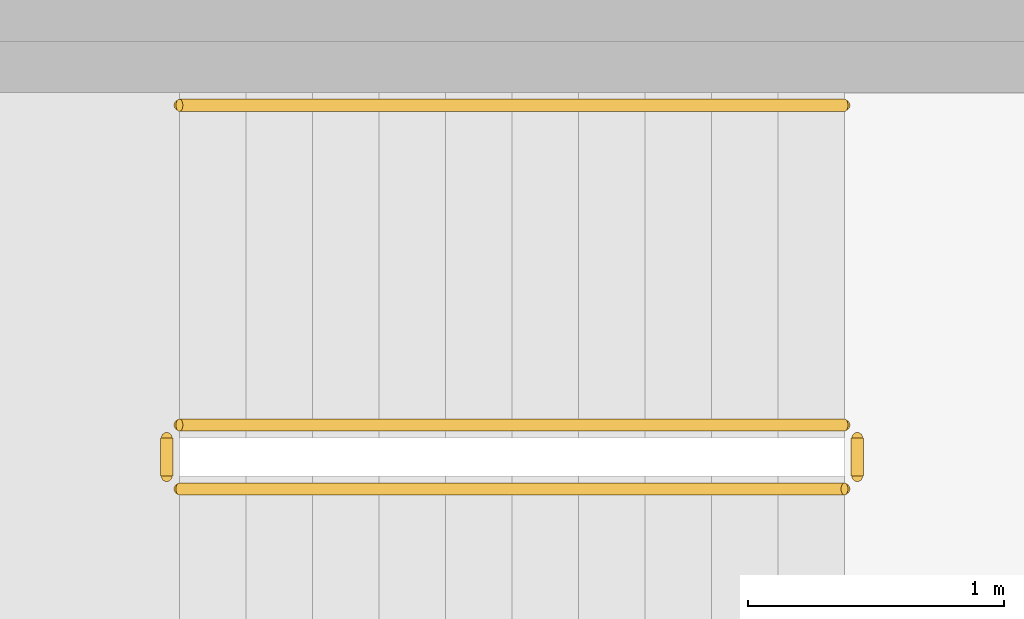
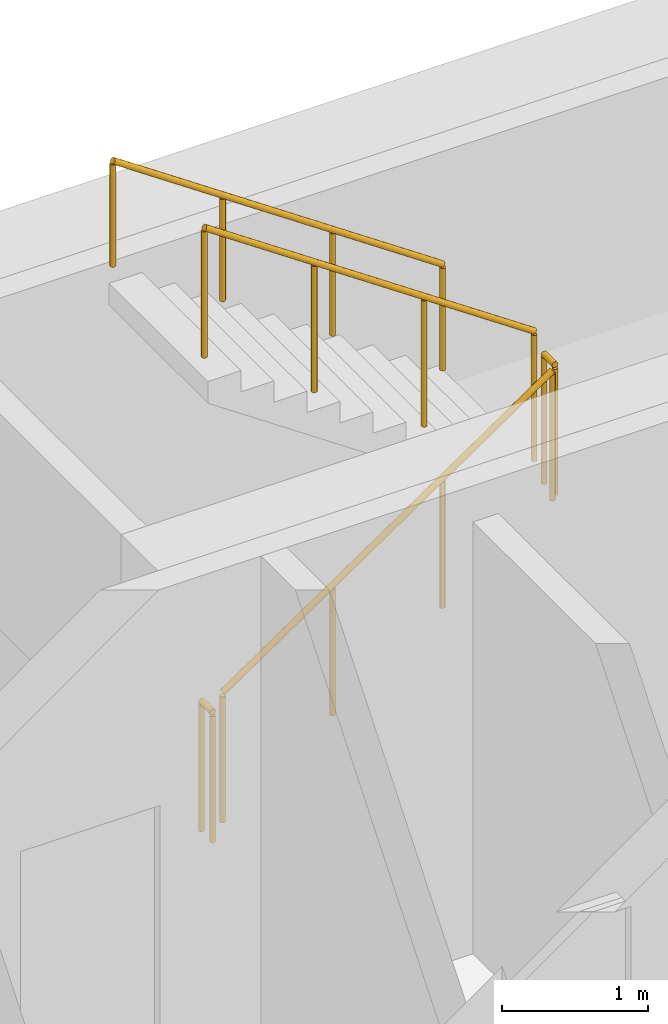
# One storey, part 9 of 9: 5 railings.
"""IFC4 building model written with IfcOpenShell, lengths in metres."""

from ifc_helpers import new_model, si_unit, direction, frame, origin, origin_2d, place, context, subcontext, project, spatial, circle, extrude, material, type_object, element, save


model = new_model("IFC4")

# Units and contexts
model_context = context("Model", 3, precision=1e-05, world=origin(), true_north=direction((0.0, 1.0)))
body_context = subcontext(model_context, "Body", "Model", "MODEL_VIEW")
ifc_project = project(units=[si_unit("LENGTHUNIT", "METRE"), si_unit("AREAUNIT", "SQUARE_METRE"), si_unit("VOLUMEUNIT", "CUBIC_METRE"), si_unit("PLANEANGLEUNIT", "RADIAN"), si_unit("MASSUNIT", "GRAM", prefix="KILO")], contexts=[model_context])

# Site, building, storey
site_placement = place(None, origin())
site = spatial("IfcSite", under=ifc_project, at=site_placement, CompositionType="ELEMENT")
building_placement = place(site_placement, origin())
building = spatial("IfcBuilding", under=site, at=building_placement, Name="White Candle Pilgrim Tower", CompositionType="ELEMENT")
storey_placement = place(building_placement, frame((0.0, 0.0, 252.199951171875)))
storey = spatial("IfcBuildingStorey", under=building, at=storey_placement, Name="L59", CompositionType="ELEMENT", Elevation=252.199951171875)

# Railings
ifc_material = material(Name="Stainless steel", Category="steel")
railing_type_1 = type_object("IfcRailingType", Name="Stair guard stainless steel 1100 mm", PredefinedType="GUARDRAIL", material=ifc_material)
railing_1_placement = place(storey_placement, frame((69.39990234375, 85.550048828125, 0.17724609375)))
element("IfcRailing", 1, at=railing_1_placement, inside=storey, type_object=railing_type_1, Name="L59 ST3 stair guard 1", PredefinedType="GUARDRAIL", context=body_context, shape_type="SweptSolid", body=[
    extrude(circle(Radius=0.02392578125, at=origin_2d()), frame((0.0, 0.0, 1.076171875), z_axis=(0.826240473404, 0.0, 0.563317565952), x_axis=(0.0, 1.0, 0.0)), (0.0, 0.0, 1.0), 3.14697265625),
    extrude(circle(Radius=0.02099609375, at=origin_2d()), origin(), (0.0, 0.0, 1.0), 1.052001953125),
    extrude(circle(Radius=0.02099609375, at=origin_2d()), frame((0.86669921875, 0.0, 0.5908203125)), (0.0, 0.0, 1.0), 1.052001953125),
    extrude(circle(Radius=0.02099609375, at=origin_2d()), frame((1.7333984375, 0.0, 1.181884765625)), (0.0, 0.0, 1.0), 1.052001953125),
    extrude(circle(Radius=0.02099609375, at=origin_2d()), frame((2.60009765625, 0.0, 1.772705078125)), (0.0, 0.0, 1.0), 1.052001953125),
])
railing_2_placement = place(storey_placement, frame((72.050048828125, 85.60009765625, 1.949951171875)))
element("IfcRailing", 2, at=railing_2_placement, inside=storey, type_object=railing_type_1, Name="L59 ST3 stair guard 2", PredefinedType="GUARDRAIL", context=body_context, shape_type="SweptSolid", body=[
    extrude(circle(Radius=0.02392578125, at=origin_2d()), frame((0.0, 0.0, 1.076171875), z_axis=(0.0, 1.0, 0.0), x_axis=(-1.0, 0.0, 0.0)), (0.0, 0.0, 1.0), 0.14990234375),
    extrude(circle(Radius=0.02099609375, at=origin_2d()), origin(), (0.0, 0.0, 1.0), 1.052001953125),
    extrude(circle(Radius=0.02099609375, at=origin_2d()), frame((0.0, 0.14990234375, 0.0)), (0.0, 0.0, 1.0), 1.052001953125),
])
railing_3_placement = place(storey_placement, frame((72.0, 85.800048828125, 2.12744140625)))
element("IfcRailing", 3, at=railing_3_placement, inside=storey, type_object=railing_type_1, Name="L59 ST3 stair guard 3", PredefinedType="GUARDRAIL", context=body_context, shape_type="SweptSolid", body=[
    extrude(circle(Radius=0.02392578125, at=origin_2d()), frame((0.0, 0.0, 1.076171875), z_axis=(-0.826240473404, 0.0, 0.563317565952), x_axis=(0.0, -1.0, 0.0)), (0.0, 0.0, 1.0), 3.14697265625),
    extrude(circle(Radius=0.02099609375, at=origin_2d()), origin(), (0.0, 0.0, 1.0), 1.052001953125),
    extrude(circle(Radius=0.02099609375, at=origin_2d()), frame((-0.86669921875, 0.0, 0.5908203125)), (0.0, 0.0, 1.0), 1.052001953125),
    extrude(circle(Radius=0.02099609375, at=origin_2d()), frame((-1.7333984375, 0.0, 1.181884765625)), (0.0, 0.0, 1.0), 1.052001953125),
    extrude(circle(Radius=0.02099609375, at=origin_2d()), frame((-2.60009765625, 0.0, 1.772705078125)), (0.0, 0.0, 1.0), 1.052001953125),
])
railing_4_placement = place(storey_placement, frame((69.35009765625, 85.60009765625, 0.0)))
element("IfcRailing", 4, at=railing_4_placement, inside=storey, type_object=railing_type_1, Name="L59 ST3 stair guard 4", PredefinedType="GUARDRAIL", context=body_context, shape_type="SweptSolid", body=[
    extrude(circle(Radius=0.02392578125, at=origin_2d()), frame((0.0, 0.0, 1.076171875), z_axis=(0.0, 1.0, 0.0), x_axis=(-1.0, 0.0, 0.0)), (0.0, 0.0, 1.0), 0.14990234375),
    extrude(circle(Radius=0.02099609375, at=origin_2d()), origin(), (0.0, 0.0, 1.0), 1.052001953125),
    extrude(circle(Radius=0.02099609375, at=origin_2d()), frame((0.0, 0.14990234375, 0.0)), (0.0, 0.0, 1.0), 1.052001953125),
])
railing_type_2 = type_object("IfcRailingType", Name="Stair handrail stainless steel", PredefinedType="HANDRAIL", material=ifc_material)
railing_5_placement = place(storey_placement, frame((72.0, 87.050048828125, 2.12744140625)))
element("IfcRailing", 5, at=railing_5_placement, inside=storey, type_object=railing_type_2, Name="L59 ST3 stair handrail 2", PredefinedType="HANDRAIL", context=body_context, shape_type="SweptSolid", body=[
    extrude(circle(Radius=0.02392578125, at=origin_2d()), frame((0.0, 0.0, 0.8759765625), z_axis=(-0.826240473404, 0.0, 0.563317565952), x_axis=(0.0, -1.0, 0.0)), (0.0, 0.0, 1.0), 3.14697265625),
    extrude(circle(Radius=0.02099609375, at=origin_2d()), origin(), (0.0, 0.0, 1.0), 0.851806640625),
    extrude(circle(Radius=0.02099609375, at=origin_2d()), frame((-0.86669921875, 0.0, 0.5908203125)), (0.0, 0.0, 1.0), 0.851806640625),
    extrude(circle(Radius=0.02099609375, at=origin_2d()), frame((-1.7333984375, 0.0, 1.181884765625)), (0.0, 0.0, 1.0), 0.851806640625),
    extrude(circle(Radius=0.02099609375, at=origin_2d()), frame((-2.60009765625, 0.0, 1.772705078125)), (0.0, 0.0, 1.0), 0.851806640625),
])

save(model, "model.ifc")
